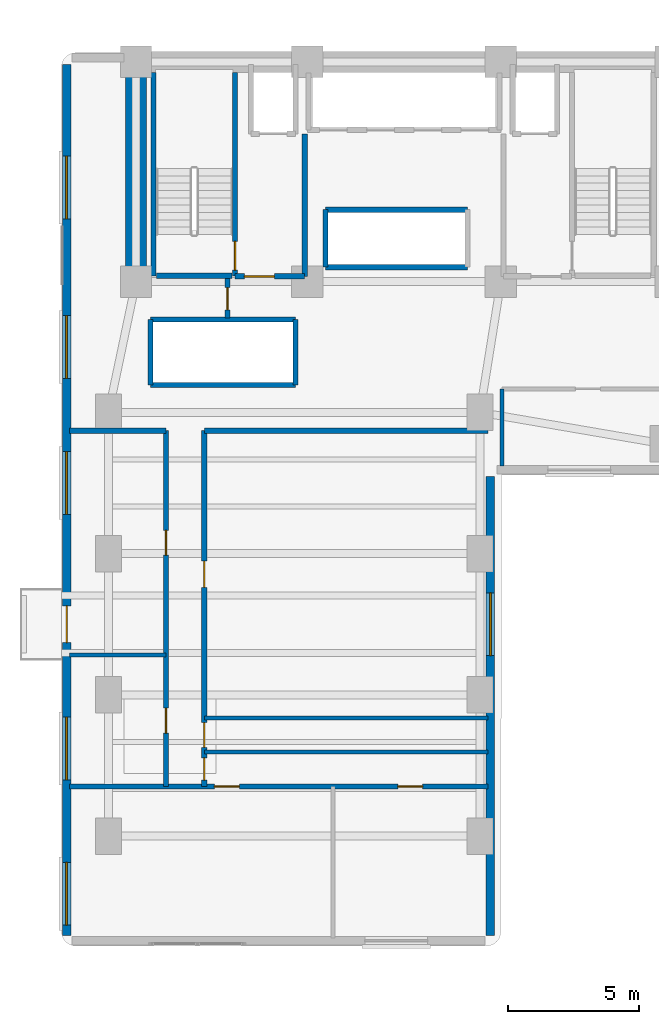
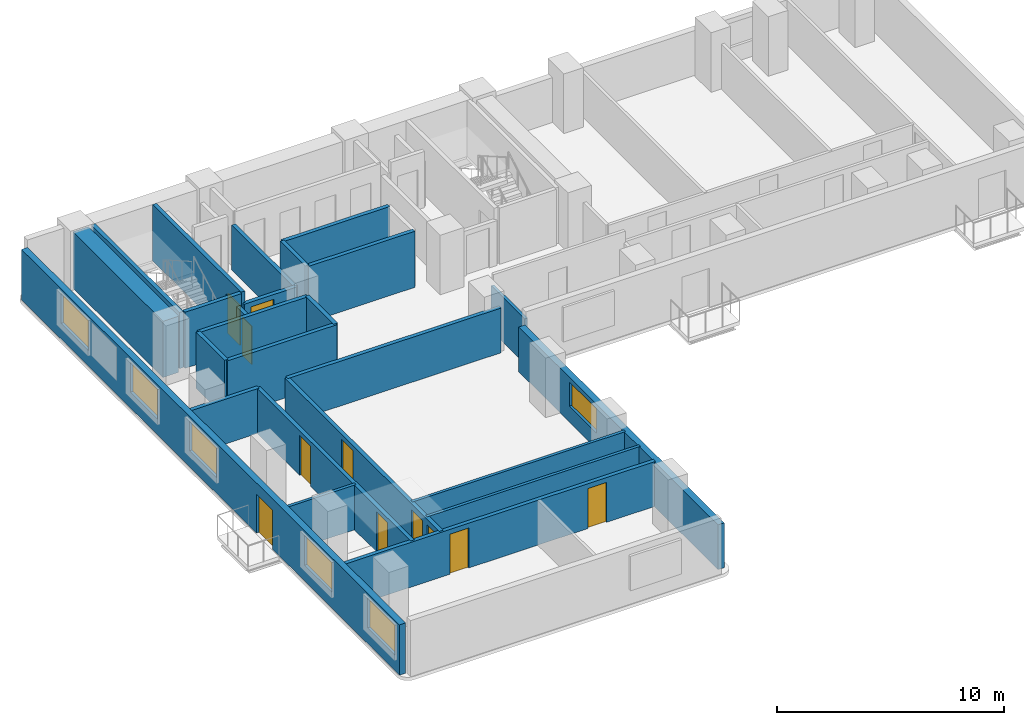
# One storey, part 10 of 17: 25 walls, 11 doors, 6 windows, 17 openings.
"""IFC4 building model written with IfcOpenShell, lengths in metres."""

from ifc_helpers import new_model, si_unit, direction, frame, frame_2d, origin, place, context, subcontext, project, spatial, rectangle, extrude, material, layer, layer_set, type_object, element, fill, save


model = new_model("IFC4")

# Units and contexts
model_context = context("Model", 3, precision=1e-05, world=origin(), true_north=direction((0.0, 1.0)))
body_context = subcontext(model_context, "Body", "Model", "MODEL_VIEW")
ifc_project = project(units=[si_unit("LENGTHUNIT", "METRE"), si_unit("AREAUNIT", "SQUARE_METRE"), si_unit("VOLUMEUNIT", "CUBIC_METRE"), si_unit("PLANEANGLEUNIT", "RADIAN"), si_unit("MASSUNIT", "GRAM", prefix="KILO")], contexts=[model_context])

# Site, building, storey
site_placement = place(None, origin())
site = spatial("IfcSite", under=ifc_project, at=site_placement, CompositionType="ELEMENT")
building_placement = place(site_placement, origin())
building = spatial("IfcBuilding", under=site, at=building_placement, Name="Kuzgunbayir Cultural Tower", CompositionType="ELEMENT")
storey_placement = place(building_placement, frame((0.0, 0.0, 46.800048828125)))
storey = spatial("IfcBuildingStorey", under=building, at=storey_placement, Name="L12", CompositionType="ELEMENT", Elevation=46.800048828125)

# Wall
ifc_material_1 = material(Name="Concrete C60/75", Category="concrete")
ifc_layer_1 = layer(ifc_material_1, 0.800048828125)
ifc_layer_set_1 = layer_set([ifc_layer_1], Name="Concrete C60/75")
wall_type_1 = type_object("IfcWallType", Name="WAL-CORE-800", PredefinedType="SHEAR", material=ifc_layer_set_1)
wall_1_placement = place(storey_placement, frame((6.449951171875, 33.800048828125, 0.0), z_axis=(0.0, 0.0, 1.0), x_axis=(0.0, 1.0, 0.0)))
element("IfcWall", 1, at=wall_1_placement, inside=storey, type_object=wall_type_1, Name="L12 T1 Core West Shear Wall", PredefinedType="SHEAR", context=body_context, shape_type="SweptSolid", body=[
    extrude(rectangle(XDim=7.949951171875, YDim=0.800048828125, at=frame_2d((3.97509765625, 0.0))), origin(), (0.0, 0.0, 1.0), 3.02001953125),
])

# Wall, openings, door, windows
ifc_material_2 = material(Name="Travertine Buff Ashlar", Category="masonry")
ifc_layer_2 = layer(ifc_material_2, 0.320068359375)
ifc_layer_set_2 = layer_set([ifc_layer_2], Name="Travertine Buff Ashlar")
wall_type_2 = type_object("IfcWallType", Name="WAL-EXT-STONE-320", PredefinedType="STANDARD", material=ifc_layer_set_2)
wall_2_placement = place(storey_placement, frame((3.800048828125, 42.10009765625, 0.0), z_axis=(0.0, 0.0, 1.0), x_axis=(0.0, -1.0, 0.0)))
wall_2 = element("IfcWall", 2, at=wall_2_placement, inside=storey, type_object=wall_type_2, Name="L12 Wing A West Limestone Wall", PredefinedType="STANDARD", context=body_context, shape_type="SweptSolid", body=[
    extrude(rectangle(XDim=33.300048828125, YDim=0.320068359375, at=frame_2d((16.64990234375, 0.0))), origin(), (0.0, 0.0, 1.0), 2.699951171875),
])
opening_1_placement = place(wall_2_placement, frame((20.699951171875, 0.0, 0.0)))
opening_1 = element("IfcOpeningElement", 3, at=opening_1_placement, cuts=wall_2, Name="Opening BD-15", PredefinedType="OPENING", context=body_context, shape_type="SweptSolid", body=[
    extrude(rectangle(XDim=1.39990234375, YDim=2.10009765625, at=frame_2d((0.699951171875, 1.050048828125))), frame((0.0, 0.169921875, 0.0), z_axis=(0.0, -1.0, 0.0), x_axis=(1.0, 0.0, 0.0)), (0.0, 0.0, 1.0), 0.340087890625),
])
opening_2_placement = place(wall_2_placement, frame((30.5, 0.0, 0.85009765625)))
opening_2 = element("IfcOpeningElement", 4, at=opening_2_placement, cuts=wall_2, Name="Opening WO-24", PredefinedType="OPENING", context=body_context, shape_type="SweptSolid", body=[
    extrude(rectangle(XDim=2.39990234375, YDim=1.60009765625, at=frame_2d((1.199951171875, 0.800048828125))), frame((0.0, 0.169921875, 0.0), z_axis=(0.0, -1.0, 0.0), x_axis=(1.0, 0.0, 0.0)), (0.0, 0.0, 1.0), 0.340087890625),
])
opening_3_placement = place(wall_2_placement, frame((24.949951171875, 0.0, 0.85009765625)))
opening_3 = element("IfcOpeningElement", 5, at=opening_3_placement, cuts=wall_2, Name="Opening WO-24", PredefinedType="OPENING", context=body_context, shape_type="SweptSolid", body=[
    extrude(rectangle(XDim=2.39990234375, YDim=1.60009765625, at=frame_2d((1.199951171875, 0.800048828125))), frame((0.0, 0.169921875, 0.0), z_axis=(0.0, -1.0, 0.0), x_axis=(1.0, 0.0, 0.0)), (0.0, 0.0, 1.0), 0.340087890625),
])
opening_4_placement = place(wall_2_placement, frame((14.800048828125, 0.0, 0.85009765625)))
opening_4 = element("IfcOpeningElement", 6, at=opening_4_placement, cuts=wall_2, Name="Opening WO-24", PredefinedType="OPENING", context=body_context, shape_type="SweptSolid", body=[
    extrude(rectangle(XDim=2.39990234375, YDim=1.60009765625, at=frame_2d((1.199951171875, 0.800048828125))), frame((0.0, 0.169921875, 0.0), z_axis=(0.0, -1.0, 0.0), x_axis=(1.0, 0.0, 0.0)), (0.0, 0.0, 1.0), 0.340087890625),
])
opening_5_placement = place(wall_2_placement, frame((9.60009765625, 0.0, 0.85009765625)))
opening_5 = element("IfcOpeningElement", 7, at=opening_5_placement, cuts=wall_2, Name="Opening WO-24", PredefinedType="OPENING", context=body_context, shape_type="SweptSolid", body=[
    extrude(rectangle(XDim=2.39990234375, YDim=1.60009765625, at=frame_2d((1.199951171875, 0.800048828125))), frame((0.0, 0.169921875, 0.0), z_axis=(0.0, -1.0, 0.0), x_axis=(1.0, 0.0, 0.0)), (0.0, 0.0, 1.0), 0.340087890625),
])
opening_6_placement = place(wall_2_placement, frame((3.5, 0.0, 0.85009765625)))
opening_6 = element("IfcOpeningElement", 8, at=opening_6_placement, cuts=wall_2, Name="Opening WO-24", PredefinedType="OPENING", context=body_context, shape_type="SweptSolid", body=[
    extrude(rectangle(XDim=2.39990234375, YDim=1.60009765625, at=frame_2d((1.199951171875, 0.800048828125))), frame((0.0, 0.169921875, 0.0), z_axis=(0.0, -1.0, 0.0), x_axis=(1.0, 0.0, 0.0)), (0.0, 0.0, 1.0), 0.340087890625),
])
ifc_material_3 = material(Name="Thermally Broken Glazed Aluminium", Category="aluminium")
door_type_1 = type_object("IfcDoorType", Name="DR-BALCONY-150", OperationType="SLIDING_TO_RIGHT", PredefinedType="DOOR", material=ifc_material_3)
door_1_placement = place(opening_1_placement, origin())
door_1 = element("IfcDoor", 9, at=door_1_placement, inside=storey, type_object=door_type_1, Name="L12 West Balcony Sliding Door BAL-L12-WA2", OperationType="SLIDING_TO_RIGHT", OverallHeight=2.10009765625, OverallWidth=1.39990234375, PredefinedType="DOOR", context=body_context, shape_type="SweptSolid", body=[
    extrude(rectangle(XDim=1.39990234375, YDim=2.10009765625, at=frame_2d((0.699951171875, 1.050048828125))), frame((0.0, 0.02490234375, 0.0), z_axis=(0.0, -1.0, 0.0), x_axis=(1.0, 0.0, 0.0)), (0.0, 0.0, 1.0), 0.050048828125),
])
fill(opening_1, door_1)
ifc_material_4 = material(Name="Solar-Control Triple Glazing", Category="glass")
window_type = type_object("IfcWindowType", Name="WIN-OFFICE-24", PartitioningType="SINGLE_PANEL", PredefinedType="WINDOW", material=ifc_material_4)
window_1_placement = place(opening_2_placement, origin())
window_1 = element("IfcWindow", 10, at=window_1_placement, inside=storey, type_object=window_type, Name="L12 WAW Facade Window 2", OverallHeight=1.60009765625, OverallWidth=2.39990234375, PartitioningType="SINGLE_PANEL", PredefinedType="WINDOW", context=body_context, shape_type="SweptSolid", body=[
    extrude(rectangle(XDim=2.39990234375, YDim=1.60009765625, at=frame_2d((1.199951171875, 0.800048828125))), frame((0.0, 0.030029296875, 0.0), z_axis=(0.0, -1.0, 0.0), x_axis=(1.0, 0.0, 0.0)), (0.0, 0.0, 1.0), 0.06005859375),
])
fill(opening_2, window_1)
window_2_placement = place(opening_3_placement, origin())
window_2 = element("IfcWindow", 11, at=window_2_placement, inside=storey, type_object=window_type, Name="L12 WAW Facade Window 3", OverallHeight=1.60009765625, OverallWidth=2.39990234375, PartitioningType="SINGLE_PANEL", PredefinedType="WINDOW", context=body_context, shape_type="SweptSolid", body=[
    extrude(rectangle(XDim=2.39990234375, YDim=1.60009765625, at=frame_2d((1.199951171875, 0.800048828125))), frame((0.0, 0.030029296875, 0.0), z_axis=(0.0, -1.0, 0.0), x_axis=(1.0, 0.0, 0.0)), (0.0, 0.0, 1.0), 0.06005859375),
])
fill(opening_3, window_2)
window_3_placement = place(opening_4_placement, origin())
window_3 = element("IfcWindow", 12, at=window_3_placement, inside=storey, type_object=window_type, Name="L12 WAW Facade Window 4", OverallHeight=1.60009765625, OverallWidth=2.39990234375, PartitioningType="SINGLE_PANEL", PredefinedType="WINDOW", context=body_context, shape_type="SweptSolid", body=[
    extrude(rectangle(XDim=2.39990234375, YDim=1.60009765625, at=frame_2d((1.199951171875, 0.800048828125))), frame((0.0, 0.030029296875, 0.0), z_axis=(0.0, -1.0, 0.0), x_axis=(1.0, 0.0, 0.0)), (0.0, 0.0, 1.0), 0.06005859375),
])
fill(opening_4, window_3)
window_4_placement = place(opening_5_placement, origin())
window_4 = element("IfcWindow", 13, at=window_4_placement, inside=storey, type_object=window_type, Name="L12 WAW Facade Window 5", OverallHeight=1.60009765625, OverallWidth=2.39990234375, PartitioningType="SINGLE_PANEL", PredefinedType="WINDOW", context=body_context, shape_type="SweptSolid", body=[
    extrude(rectangle(XDim=2.39990234375, YDim=1.60009765625, at=frame_2d((1.199951171875, 0.800048828125))), frame((0.0, 0.030029296875, 0.0), z_axis=(0.0, -1.0, 0.0), x_axis=(1.0, 0.0, 0.0)), (0.0, 0.0, 1.0), 0.06005859375),
])
fill(opening_5, window_4)
window_5_placement = place(opening_6_placement, origin())
window_5 = element("IfcWindow", 14, at=window_5_placement, inside=storey, type_object=window_type, Name="L12 WAW Facade Window 6", OverallHeight=1.60009765625, OverallWidth=2.39990234375, PartitioningType="SINGLE_PANEL", PredefinedType="WINDOW", context=body_context, shape_type="SweptSolid", body=[
    extrude(rectangle(XDim=2.39990234375, YDim=1.60009765625, at=frame_2d((1.199951171875, 0.800048828125))), frame((0.0, 0.030029296875, 0.0), z_axis=(0.0, -1.0, 0.0), x_axis=(1.0, 0.0, 0.0)), (0.0, 0.0, 1.0), 0.06005859375),
])
fill(opening_6, window_5)

# Wall, opening, window
wall_3_placement = place(storey_placement, frame((20.0, 8.800048828125, 0.0), z_axis=(0.0, 0.0, 1.0), x_axis=(0.0, 1.0, 0.0)))
wall_3 = element("IfcWall", 15, at=wall_3_placement, inside=storey, type_object=wall_type_2, Name="L12 Wing A East Limestone Wall", PredefinedType="STANDARD", context=body_context, shape_type="SweptSolid", body=[
    extrude(rectangle(XDim=17.550048828125, YDim=0.320068359375, at=frame_2d((8.77490234375, 0.0))), origin(), (0.0, 0.0, 1.0), 2.409912109375),
])
opening_7_placement = place(wall_3_placement, frame((10.699951171875, 0.0, 0.85009765625)))
opening_7 = element("IfcOpeningElement", 16, at=opening_7_placement, cuts=wall_3, Name="Opening WO-24", PredefinedType="OPENING", context=body_context, shape_type="SweptSolid", body=[
    extrude(rectangle(XDim=2.39990234375, YDim=1.31005859375, at=frame_2d((1.199951171875, 0.655029296875))), frame((0.0, 0.169921875, 0.0), z_axis=(0.0, -1.0, 0.0), x_axis=(1.0, 0.0, 0.0)), (0.0, 0.0, 1.0), 0.340087890625),
])
window_6_placement = place(opening_7_placement, origin())
window_6 = element("IfcWindow", 17, at=window_6_placement, inside=storey, type_object=window_type, Name="L12 WAE Facade Window 7", OverallHeight=1.31005859375, OverallWidth=2.39990234375, PartitioningType="SINGLE_PANEL", PredefinedType="WINDOW", context=body_context, shape_type="SweptSolid", body=[
    extrude(rectangle(XDim=2.39990234375, YDim=1.31005859375, at=frame_2d((1.199951171875, 0.655029296875))), frame((0.0, 0.030029296875, 0.0), z_axis=(0.0, -1.0, 0.0), x_axis=(1.0, 0.0, 0.0)), (0.0, 0.0, 1.0), 0.06005859375),
])
fill(opening_7, window_6)

# Walls
ifc_material_5 = material(Name="Acoustic Double-Stud Drywall", Category="gypsum")
ifc_layer_3 = layer(ifc_material_5, 0.14990234375)
ifc_layer_set_3 = layer_set([ifc_layer_3], Name="Acoustic Double-Stud Drywall")
wall_type_3 = type_object("IfcWallType", Name="WAL-PART-ACOUSTIC-150", PredefinedType="PARTITIONING", material=ifc_layer_set_3)
wall_4_placement = place(storey_placement, frame((20.449951171875, 26.75, 0.0), z_axis=(0.0, 0.0, 1.0), x_axis=(0.0, 1.0, 0.0)))
element("IfcWall", 18, at=wall_4_placement, inside=storey, type_object=wall_type_3, Name="L12 Waist Alcove West Wall", PredefinedType="PARTITIONING", context=body_context, shape_type="SweptSolid", body=[
    extrude(rectangle(XDim=2.949951171875, YDim=0.14990234375, at=frame_2d((1.47509765625, 0.0))), origin(), (0.0, 0.0, 1.0), 2.409912109375),
])
wall_5_placement = place(storey_placement, frame((3.89990234375, 19.530029296875, 0.0), z_axis=(0.0, 0.0, 1.0), x_axis=(1.0, 0.0, 0.0)))
element("IfcWall", 19, at=wall_5_placement, inside=storey, type_object=wall_type_3, Name="L12 West Suite Partition 1", PredefinedType="PARTITIONING", context=body_context, shape_type="SweptSolid", body=[
    extrude(rectangle(XDim=3.7001953125, YDim=0.14990234375, at=frame_2d((1.85009765625, 0.0))), origin(), (0.0, 0.0, 1.0), 2.409912109375),
])
ifc_material_6 = material(Name="Aerated Concrete Blockwork", Category="masonry")
ifc_layer_4 = layer(ifc_material_6, 0.199951171875)
ifc_layer_set_4 = layer_set([ifc_layer_4], Name="Aerated Concrete Blockwork")
wall_type_4 = type_object("IfcWallType", Name="WAL-PART-FIRE-200", PredefinedType="PARTITIONING", material=ifc_layer_set_4)
wall_6_placement = place(storey_placement, frame((12.89990234375, 34.0, 0.0), z_axis=(0.0, 0.0, 1.0), x_axis=(0.0, 1.0, 0.0)))
element("IfcWall", 20, at=wall_6_placement, inside=storey, type_object=wall_type_4, Name="L12 FFL-1 Lobby East Fire Wall", PredefinedType="PARTITIONING", context=body_context, shape_type="SweptSolid", body=[
    extrude(rectangle(XDim=5.449951171875, YDim=0.199951171875, at=frame_2d((2.72509765625, 0.0))), origin(), (0.0, 0.0, 1.0), 2.409912109375),
])

# Wall, opening, door
wall_7_placement = place(storey_placement, frame((10.239990234375, 34.0, 0.0), z_axis=(0.0, 0.0, 1.0), x_axis=(1.0, 0.0, 0.0)))
wall_7 = element("IfcWall", 21, at=wall_7_placement, inside=storey, type_object=wall_type_4, Name="L12 FFL-1 Lobby South Fire Wall", PredefinedType="PARTITIONING", context=body_context, shape_type="SweptSolid", body=[
    extrude(rectangle(XDim=2.659912109375, YDim=0.199951171875, at=frame_2d((1.330078125, 0.0))), origin(), (0.0, 0.0, 1.0), 2.409912109375),
])
opening_8_placement = place(wall_7_placement, frame((0.35009765625, 0.0, 0.0)))
opening_8 = element("IfcOpeningElement", 22, at=opening_8_placement, cuts=wall_7, Name="Opening DR-FFL-90", PredefinedType="OPENING", context=body_context, shape_type="SweptSolid", body=[
    extrude(rectangle(XDim=1.14990234375, YDim=2.14990234375, at=frame_2d((0.574951171875, 1.074951171875))), frame((0.0, 0.10986328125, 0.0), z_axis=(0.0, -1.0, 0.0), x_axis=(1.0, 0.0, 0.0)), (0.0, 0.0, 1.0), 0.219970703125),
])
ifc_material_7 = material(Name="Steel S355J2", Category="steel")
door_type_2 = type_object("IfcDoorType", Name="DR-FFL-90", OperationType="NOTDEFINED", PredefinedType="DOOR", material=ifc_material_7)
door_2_placement = place(opening_8_placement, origin())
door_2 = element("IfcDoor", 23, at=door_2_placement, inside=storey, type_object=door_type_2, Name="L12 Firefighting Lobby 1 Door", OperationType="SINGLE_SWING_LEFT", OverallHeight=2.14990234375, OverallWidth=1.14990234375, PredefinedType="DOOR", context=body_context, shape_type="SweptSolid", body=[
    extrude(rectangle(XDim=1.14990234375, YDim=2.14990234375, at=frame_2d((0.574951171875, 1.074951171875))), frame((0.0, 0.02490234375, 0.0), z_axis=(0.0, -1.0, 0.0), x_axis=(1.0, 0.0, 0.0)), (0.0, 0.0, 1.0), 0.050048828125),
])
fill(opening_8, door_2)

wall_8_placement = place(storey_placement, frame((9.949951171875, 32.39990234375, 0.0), z_axis=(0.0, 0.0, 1.0), x_axis=(0.0, 1.0, 0.0)))
wall_8 = element("IfcWall", 24, at=wall_8_placement, inside=storey, type_object=wall_type_4, Name="L12 West Core Service Closet Wall", PredefinedType="PARTITIONING", context=body_context, shape_type="SweptSolid", body=[
    extrude(rectangle(XDim=1.52001953125, YDim=0.199951171875, at=frame_2d((0.760009765625, 0.0))), origin(), (0.0, 0.0, 1.0), 2.409912109375),
])
opening_9_placement = place(wall_8_placement, frame((0.320068359375, 0.0, 0.0)))
opening_9 = element("IfcOpeningElement", 25, at=opening_9_placement, cuts=wall_8, Name="Opening DR-RSR-60", PredefinedType="OPENING", context=body_context, shape_type="SweptSolid", body=[
    extrude(rectangle(XDim=0.85009765625, YDim=2.050048828125, at=frame_2d((0.425048828125, 1.02490234375))), frame((0.0, 0.10986328125, 0.0), z_axis=(0.0, -1.0, 0.0), x_axis=(1.0, 0.0, 0.0)), (0.0, 0.0, 1.0), 0.219970703125),
])
ifc_material_8 = material(Name="Steel Access Leaf", Category="steel")
door_type_3 = type_object("IfcDoorType", Name="DR-RISER-60", OperationType="NOTDEFINED", PredefinedType="DOOR", material=ifc_material_8)
door_3_placement = place(opening_9_placement, origin())
door_3 = element("IfcDoor", 26, at=door_3_placement, inside=storey, type_object=door_type_3, Name="L12 Cleaner Utility Store Door", OperationType="SINGLE_SWING_LEFT", OverallHeight=2.050048828125, OverallWidth=0.85009765625, PredefinedType="DOOR", context=body_context, shape_type="SweptSolid", body=[
    extrude(rectangle(XDim=0.85009765625, YDim=2.050048828125, at=frame_2d((0.425048828125, 1.02490234375))), frame((0.0, 0.02490234375, 0.0), z_axis=(0.0, -1.0, 0.0), x_axis=(1.0, 0.0, 0.0)), (0.0, 0.0, 1.0), 0.050048828125),
])
fill(opening_9, door_3)

# Wall, openings, doors
wall_9_placement = place(storey_placement, frame((7.60009765625, 14.5, 0.0), z_axis=(0.0, 0.0, 1.0), x_axis=(0.0, 1.0, 0.0)))
wall_9 = element("IfcWall", 27, at=wall_9_placement, inside=storey, type_object=wall_type_4, Name="L12 Wing A West Corridor Wall", PredefinedType="PARTITIONING", context=body_context, shape_type="SweptSolid", body=[
    extrude(rectangle(XDim=13.60009765625, YDim=0.199951171875, at=frame_2d((6.800048828125, 0.0))), origin(), (0.0, 0.0, 1.0), 2.409912109375),
])
opening_10_placement = place(wall_9_placement, frame((2.0400390625, 0.0, 0.0)))
opening_10 = element("IfcOpeningElement", 28, at=opening_10_placement, cuts=wall_9, Name="Opening DI-90", PredefinedType="OPENING", context=body_context, shape_type="SweptSolid", body=[
    extrude(rectangle(XDim=0.949951171875, YDim=2.14990234375, at=frame_2d((0.47509765625, 1.074951171875))), frame((0.0, 0.10986328125, 0.0), z_axis=(0.0, -1.0, 0.0), x_axis=(1.0, 0.0, 0.0)), (0.0, 0.0, 1.0), 0.219970703125),
])
opening_11_placement = place(wall_9_placement, frame((8.840087890625, 0.0, 0.0)))
opening_11 = element("IfcOpeningElement", 29, at=opening_11_placement, cuts=wall_9, Name="Opening DI-90", PredefinedType="OPENING", context=body_context, shape_type="SweptSolid", body=[
    extrude(rectangle(XDim=0.949951171875, YDim=2.14990234375, at=frame_2d((0.47509765625, 1.074951171875))), frame((0.0, 0.10986328125, 0.0), z_axis=(0.0, -1.0, 0.0), x_axis=(1.0, 0.0, 0.0)), (0.0, 0.0, 1.0), 0.219970703125),
])
ifc_material_9 = material(Name="Veneered Oak Single Leaf", Category="wood")
door_type_4 = type_object("IfcDoorType", Name="DR-INT-90", OperationType="NOTDEFINED", PredefinedType="DOOR", material=ifc_material_9)
door_4_placement = place(opening_10_placement, origin())
door_4 = element("IfcDoor", 30, at=door_4_placement, inside=storey, type_object=door_type_4, Name="L12 Curatorial Office W1 Door", OperationType="SINGLE_SWING_LEFT", OverallHeight=2.14990234375, OverallWidth=0.949951171875, PredefinedType="DOOR", context=body_context, shape_type="SweptSolid", body=[
    extrude(rectangle(XDim=0.949951171875, YDim=2.14990234375, at=frame_2d((0.47509765625, 1.074951171875))), frame((0.0, 0.02490234375, 0.0), z_axis=(0.0, -1.0, 0.0), x_axis=(1.0, 0.0, 0.0)), (0.0, 0.0, 1.0), 0.050048828125),
])
fill(opening_10, door_4)
door_5_placement = place(opening_11_placement, origin())
door_5 = element("IfcDoor", 31, at=door_5_placement, inside=storey, type_object=door_type_4, Name="L12 Wellness Consultation Studio W2 Door", OperationType="SINGLE_SWING_RIGHT", OverallHeight=2.14990234375, OverallWidth=0.949951171875, PredefinedType="DOOR", context=body_context, shape_type="SweptSolid", body=[
    extrude(rectangle(XDim=0.949951171875, YDim=2.14990234375, at=frame_2d((0.47509765625, 1.074951171875))), frame((0.0, 0.02490234375, 0.0), z_axis=(0.0, -1.0, 0.0), x_axis=(1.0, 0.0, 0.0)), (0.0, 0.0, 1.0), 0.050048828125),
])
fill(opening_11, door_5)

wall_10_placement = place(storey_placement, frame((9.06005859375, 14.5, 0.0), z_axis=(0.0, 0.0, 1.0), x_axis=(0.0, 1.0, 0.0)))
wall_10 = element("IfcWall", 32, at=wall_10_placement, inside=storey, type_object=wall_type_4, Name="L12 Wing A East Corridor Wall", PredefinedType="PARTITIONING", context=body_context, shape_type="SweptSolid", body=[
    extrude(rectangle(XDim=13.60009765625, YDim=0.199951171875, at=frame_2d((6.800048828125, 0.0))), origin(), (0.0, 0.0, 1.0), 2.409912109375),
])
opening_12_placement = place(wall_10_placement, frame((0.239990234375, 0.0, 0.0)))
opening_12 = element("IfcOpeningElement", 33, at=opening_12_placement, cuts=wall_10, Name="Opening DW-85", PredefinedType="OPENING", context=body_context, shape_type="SweptSolid", body=[
    extrude(rectangle(XDim=0.85009765625, YDim=2.10009765625, at=frame_2d((0.425048828125, 1.050048828125))), frame((0.0, 0.10986328125, 0.0), z_axis=(0.0, -1.0, 0.0), x_axis=(1.0, 0.0, 0.0)), (0.0, 0.0, 1.0), 0.219970703125),
])
opening_13_placement = place(wall_10_placement, frame((1.489990234375, 0.0, 0.0)))
opening_13 = element("IfcOpeningElement", 34, at=opening_13_placement, cuts=wall_10, Name="Opening DW-95", PredefinedType="OPENING", context=body_context, shape_type="SweptSolid", body=[
    extrude(rectangle(XDim=0.949951171875, YDim=2.10009765625, at=frame_2d((0.47509765625, 1.050048828125))), frame((0.0, 0.10986328125, 0.0), z_axis=(0.0, -1.0, 0.0), x_axis=(1.0, 0.0, 0.0)), (0.0, 0.0, 1.0), 0.219970703125),
])
opening_14_placement = place(wall_10_placement, frame((7.610107421875, 0.0, 0.0)))
opening_14 = element("IfcOpeningElement", 35, at=opening_14_placement, cuts=wall_10, Name="Opening DI-100", PredefinedType="OPENING", context=body_context, shape_type="SweptSolid", body=[
    extrude(rectangle(XDim=1.0, YDim=2.14990234375, at=frame_2d((0.5, 1.074951171875))), frame((0.0, 0.10986328125, 0.0), z_axis=(0.0, -1.0, 0.0), x_axis=(1.0, 0.0, 0.0)), (0.0, 0.0, 1.0), 0.219970703125),
])
door_type_5 = type_object("IfcDoorType", Name="DR-INT-100", OperationType="NOTDEFINED", PredefinedType="DOOR", material=ifc_material_9)
door_6_placement = place(opening_14_placement, origin())
door_6 = element("IfcDoor", 36, at=door_6_placement, inside=storey, type_object=door_type_5, Name="L12 East Seminar Boardroom 1 Door", OperationType="SINGLE_SWING_LEFT", OverallHeight=2.14990234375, OverallWidth=1.0, PredefinedType="DOOR", context=body_context, shape_type="SweptSolid", body=[
    extrude(rectangle(XDim=1.0, YDim=2.14990234375, at=frame_2d((0.5, 1.074951171875))), frame((0.0, 0.02490234375, 0.0), z_axis=(0.0, -1.0, 0.0), x_axis=(1.0, 0.0, 0.0)), (0.0, 0.0, 1.0), 0.050048828125),
])
fill(opening_14, door_6)
ifc_material_10 = material(Name="Laminate Moisture-Resistant Leaf", Category="wood")
door_type_6 = type_object("IfcDoorType", Name="DR-WET-85", OperationType="NOTDEFINED", PredefinedType="DOOR", material=ifc_material_10)
door_7_placement = place(opening_12_placement, origin())
door_7 = element("IfcDoor", 37, at=door_7_placement, inside=storey, type_object=door_type_6, Name="L12 Restroom Door", OperationType="SINGLE_SWING_LEFT", OverallHeight=2.10009765625, OverallWidth=0.85009765625, PredefinedType="DOOR", context=body_context, shape_type="SweptSolid", body=[
    extrude(rectangle(XDim=0.85009765625, YDim=2.10009765625, at=frame_2d((0.425048828125, 1.050048828125))), frame((0.0, 0.02490234375, 0.0), z_axis=(0.0, -1.0, 0.0), x_axis=(1.0, 0.0, 0.0)), (0.0, 0.0, 1.0), 0.050048828125),
])
fill(opening_12, door_7)
door_type_7 = type_object("IfcDoorType", Name="DR-WET-95", OperationType="NOTDEFINED", PredefinedType="DOOR", material=ifc_material_10)
door_8_placement = place(opening_13_placement, origin())
door_8 = element("IfcDoor", 38, at=door_8_placement, inside=storey, type_object=door_type_7, Name="L12 Accessible WC Door", OperationType="SINGLE_SWING_RIGHT", OverallHeight=2.10009765625, OverallWidth=0.949951171875, PredefinedType="DOOR", context=body_context, shape_type="SweptSolid", body=[
    extrude(rectangle(XDim=0.949951171875, YDim=2.10009765625, at=frame_2d((0.47509765625, 1.050048828125))), frame((0.0, 0.02490234375, 0.0), z_axis=(0.0, -1.0, 0.0), x_axis=(1.0, 0.0, 0.0)), (0.0, 0.0, 1.0), 0.050048828125),
])
fill(opening_13, door_8)

wall_11_placement = place(storey_placement, frame((3.89990234375, 14.5, 0.0), z_axis=(0.0, 0.0, 1.0), x_axis=(1.0, 0.0, 0.0)))
wall_11 = element("IfcWall", 39, at=wall_11_placement, inside=storey, type_object=wall_type_4, Name="L12 South Cross Partition", PredefinedType="PARTITIONING", context=body_context, shape_type="SweptSolid", body=[
    extrude(rectangle(XDim=16.0, YDim=0.199951171875, at=frame_2d((8.0, 0.0))), origin(), (0.0, 0.0, 1.0), 2.409912109375),
])
opening_15_placement = place(wall_11_placement, frame((5.550048828125, 0.0, 0.0)))
opening_15 = element("IfcOpeningElement", 40, at=opening_15_placement, cuts=wall_11, Name="Opening DI-90", PredefinedType="OPENING", context=body_context, shape_type="SweptSolid", body=[
    extrude(rectangle(XDim=0.949951171875, YDim=2.14990234375, at=frame_2d((0.47509765625, 1.074951171875))), frame((0.0, 0.10986328125, 0.0), z_axis=(0.0, -1.0, 0.0), x_axis=(1.0, 0.0, 0.0)), (0.0, 0.0, 1.0), 0.219970703125),
])
opening_16_placement = place(wall_11_placement, frame((12.56005859375, 0.0, 0.0)))
opening_16 = element("IfcOpeningElement", 41, at=opening_16_placement, cuts=wall_11, Name="Opening DI-90", PredefinedType="OPENING", context=body_context, shape_type="SweptSolid", body=[
    extrude(rectangle(XDim=0.949951171875, YDim=2.14990234375, at=frame_2d((0.47509765625, 1.074951171875))), frame((0.0, 0.10986328125, 0.0), z_axis=(0.0, -1.0, 0.0), x_axis=(1.0, 0.0, 0.0)), (0.0, 0.0, 1.0), 0.219970703125),
])
door_9_placement = place(opening_15_placement, origin())
door_9 = element("IfcDoor", 42, at=door_9_placement, inside=storey, type_object=door_type_4, Name="L12 South Suite S1 Door", OperationType="SINGLE_SWING_LEFT", OverallHeight=2.14990234375, OverallWidth=0.949951171875, PredefinedType="DOOR", context=body_context, shape_type="SweptSolid", body=[
    extrude(rectangle(XDim=0.949951171875, YDim=2.14990234375, at=frame_2d((0.47509765625, 1.074951171875))), frame((0.0, 0.02490234375, 0.0), z_axis=(0.0, -1.0, 0.0), x_axis=(1.0, 0.0, 0.0)), (0.0, 0.0, 1.0), 0.050048828125),
])
fill(opening_15, door_9)
door_10_placement = place(opening_16_placement, origin())
door_10 = element("IfcDoor", 43, at=door_10_placement, inside=storey, type_object=door_type_4, Name="L12 South Suite S2 Door", OperationType="SINGLE_SWING_RIGHT", OverallHeight=2.14990234375, OverallWidth=0.949951171875, PredefinedType="DOOR", context=body_context, shape_type="SweptSolid", body=[
    extrude(rectangle(XDim=0.949951171875, YDim=2.14990234375, at=frame_2d((0.47509765625, 1.074951171875))), frame((0.0, 0.02490234375, 0.0), z_axis=(0.0, -1.0, 0.0), x_axis=(1.0, 0.0, 0.0)), (0.0, 0.0, 1.0), 0.050048828125),
])
fill(opening_16, door_10)

# Walls
wall_12_placement = place(storey_placement, frame((3.89990234375, 28.10009765625, 0.0), z_axis=(0.0, 0.0, 1.0), x_axis=(1.0, 0.0, 0.0)))
element("IfcWall", 44, at=wall_12_placement, inside=storey, type_object=wall_type_4, Name="L12 North West Partition", PredefinedType="PARTITIONING", context=body_context, shape_type="SweptSolid", body=[
    extrude(rectangle(XDim=3.7001953125, YDim=0.199951171875, at=frame_2d((1.85009765625, 0.0))), origin(), (0.0, 0.0, 1.0), 2.409912109375),
])
wall_13_placement = place(storey_placement, frame((9.06005859375, 28.10009765625, 0.0), z_axis=(0.0, 0.0, 1.0), x_axis=(1.0, 0.0, 0.0)))
element("IfcWall", 45, at=wall_13_placement, inside=storey, type_object=wall_type_4, Name="L12 North East Partition", PredefinedType="PARTITIONING", context=body_context, shape_type="SweptSolid", body=[
    extrude(rectangle(XDim=10.83984375, YDim=0.199951171875, at=frame_2d((5.419921875, 0.0))), origin(), (0.0, 0.0, 1.0), 2.409912109375),
])
ifc_material_11 = material(Name="Moisture-Resistant Tile Partition", Category="gypsum")
ifc_layer_5 = layer(ifc_material_11, 0.14990234375)
ifc_layer_set_5 = layer_set([ifc_layer_5], Name="Moisture-Resistant Tile Partition")
wall_type_5 = type_object("IfcWallType", Name="WAL-PART-WET-150", PredefinedType="PARTITIONING", material=ifc_layer_set_5)
for number, where, z_axis, x_axis, name in (
    (46, (9.06005859375, 15.81005859375, 0.0), (0.0, 0.0, 1.0), (1.0, 0.0, 0.0), "L12 WC North Wall"),
    (47, (9.06005859375, 17.1201171875, 0.0), (0.0, 0.0, 1.0), (1.0, 0.0, 0.0), "L12 Accessible WC North Wall"),
):
    element("IfcWall", number, at=place(storey_placement, frame(where, z_axis=z_axis, x_axis=x_axis)), inside=storey, type_object=wall_type_5, Name=name, PredefinedType="PARTITIONING", context=body_context, shape_type="SweptSolid", body=[
        extrude(rectangle(XDim=10.83984375, YDim=0.14990234375, at=frame_2d((5.419921875, 0.0))), origin(), (0.0, 0.0, 1.0), 2.409912109375),
    ])
ifc_material_12 = material(Name="Concrete C40/50", Category="concrete")
ifc_layer_6 = layer(ifc_material_12, 0.199951171875)
ifc_layer_set_6 = layer_set([ifc_layer_6], Name="Concrete C40/50")
wall_type_6 = type_object("IfcWallType", Name="WAL-SHAFT-200", PredefinedType="MOVABLE", material=ifc_layer_set_6)
for number, where, z_axis, x_axis, name in (
    (48, (7.0, 29.85009765625, 0.0), (0.0, 0.0, 1.0), (1.0, 0.0, 0.0), "L12 High-Rise Lift Shaft South Wall"),
    (49, (7.0, 32.35009765625, 0.0), (0.0, 0.0, 1.0), (1.0, 0.0, 0.0), "L12 High-Rise Lift Shaft North Wall"),
):
    element("IfcWall", number, at=place(storey_placement, frame(where, z_axis=z_axis, x_axis=x_axis)), inside=storey, type_object=wall_type_6, Name=name, PredefinedType="MOVABLE", context=body_context, shape_type="SweptSolid", body=[
        extrude(rectangle(XDim=5.550048828125, YDim=0.199951171875, at=frame_2d((2.77490234375, 0.0))), origin(), (0.0, 0.0, 1.0), 3.02001953125),
    ])
for number, where, z_axis, x_axis, name in (
    (50, (7.0, 29.85009765625, 0.0), (0.0, 0.0, 1.0), (0.0, 1.0, 0.0), "L12 High-Rise Lift Shaft West Wall"),
    (51, (12.550048828125, 29.85009765625, 0.0), (0.0, 0.0, 1.0), (0.0, 1.0, 0.0), "L12 High-Rise Lift Shaft East Wall"),
):
    element("IfcWall", number, at=place(storey_placement, frame(where, z_axis=z_axis, x_axis=x_axis)), inside=storey, type_object=wall_type_6, Name=name, PredefinedType="MOVABLE", context=body_context, shape_type="SweptSolid", body=[
        extrude(rectangle(XDim=2.5, YDim=0.199951171875, at=frame_2d((1.25, 0.0))), origin(), (0.0, 0.0, 1.0), 3.02001953125),
    ])
for number, where, z_axis, x_axis, name in (
    (52, (13.699951171875, 34.35009765625, 0.0), (0.0, 0.0, 1.0), (1.0, 0.0, 0.0), "L12 Mid-Rise Lift Front Wall"),
    (53, (13.699951171875, 36.550048828125, 0.0), (0.0, 0.0, 1.0), (1.0, 0.0, 0.0), "L12 Mid-Rise Lift Shaft North Wall"),
):
    element("IfcWall", number, at=place(storey_placement, frame(where, z_axis=z_axis, x_axis=x_axis)), inside=storey, type_object=wall_type_6, Name=name, PredefinedType="MOVABLE", context=body_context, shape_type="SweptSolid", body=[
        extrude(rectangle(XDim=5.420166015625, YDim=0.199951171875, at=frame_2d((2.7099609375, 0.0))), origin(), (0.0, 0.0, 1.0), 3.02001953125),
    ])
wall_14_placement = place(storey_placement, frame((13.699951171875, 34.35009765625, 0.0), z_axis=(0.0, 0.0, 1.0), x_axis=(0.0, 1.0, 0.0)))
element("IfcWall", 54, at=wall_14_placement, inside=storey, type_object=wall_type_6, Name="L12 Mid-Rise Lift Shaft West Wall", PredefinedType="MOVABLE", context=body_context, shape_type="SweptSolid", body=[
    extrude(rectangle(XDim=2.199951171875, YDim=0.199951171875, at=frame_2d((1.10009765625, 0.0))), origin(), (0.0, 0.0, 1.0), 3.02001953125),
])
ifc_layer_7 = layer(ifc_material_12, 0.199951171875)
ifc_layer_set_7 = layer_set([ifc_layer_7], Name="Concrete C40/50")
wall_type_7 = type_object("IfcWallType", Name="WAL-STAIR-RC-200", PredefinedType="SHEAR", material=ifc_layer_set_7)
wall_15_placement = place(storey_placement, frame((7.1201171875, 34.02001953125, 0.0), z_axis=(0.0, 0.0, 1.0), x_axis=(0.0, 1.0, 0.0)))
element("IfcWall", 55, at=wall_15_placement, inside=storey, type_object=wall_type_7, Name="L12 Stair ST-1 West Structural Wall", PredefinedType="SHEAR", context=body_context, shape_type="SweptSolid", body=[
    extrude(rectangle(XDim=7.780029296875, YDim=0.199951171875, at=frame_2d((3.89013671875, 0.0))), origin(), (0.0, 0.0, 1.0), 3.02001953125),
])

# Wall, opening, door
wall_16_placement = place(storey_placement, frame((10.239990234375, 34.02001953125, 0.0), z_axis=(0.0, 0.0, 1.0), x_axis=(0.0, 1.0, 0.0)))
wall_16 = element("IfcWall", 56, at=wall_16_placement, inside=storey, type_object=wall_type_7, Name="L12 Stair ST-1 East Structural Wall", PredefinedType="SHEAR", context=body_context, shape_type="SweptSolid", body=[
    extrude(rectangle(XDim=7.780029296875, YDim=0.199951171875, at=frame_2d((3.89013671875, 0.0))), origin(), (0.0, 0.0, 1.0), 3.02001953125),
])
opening_17_placement = place(wall_16_placement, frame((0.219970703125, 0.0, 0.0)))
opening_17 = element("IfcOpeningElement", 57, at=opening_17_placement, cuts=wall_16, Name="Opening DR-STAIR-90", PredefinedType="OPENING", context=body_context, shape_type="SweptSolid", body=[
    extrude(rectangle(XDim=1.10009765625, YDim=2.14990234375, at=frame_2d((0.550048828125, 1.074951171875))), frame((0.0, 0.10986328125, 0.0), z_axis=(0.0, -1.0, 0.0), x_axis=(1.0, 0.0, 0.0)), (0.0, 0.0, 1.0), 0.219970703125),
])
door_type_8 = type_object("IfcDoorType", Name="DR-STAIR-90", OperationType="NOTDEFINED", PredefinedType="DOOR", material=ifc_material_7)
door_11_placement = place(opening_17_placement, origin())
door_11 = element("IfcDoor", 58, at=door_11_placement, inside=storey, type_object=door_type_8, Name="L12 Stair ST-1 Fire Door", OperationType="SINGLE_SWING_RIGHT", OverallHeight=2.14990234375, OverallWidth=1.10009765625, PredefinedType="DOOR", context=body_context, shape_type="SweptSolid", body=[
    extrude(rectangle(XDim=1.10009765625, YDim=2.14990234375, at=frame_2d((0.550048828125, 1.074951171875))), frame((0.0, 0.02490234375, 0.0), z_axis=(0.0, -1.0, 0.0), x_axis=(1.0, 0.0, 0.0)), (0.0, 0.0, 1.0), 0.050048828125),
])
fill(opening_17, door_11)

# Wall
wall_17_placement = place(storey_placement, frame((7.239990234375, 34.02001953125, 0.0), z_axis=(0.0, 0.0, 1.0), x_axis=(1.0, 0.0, 0.0)))
element("IfcWall", 59, at=wall_17_placement, inside=storey, type_object=wall_type_7, Name="L12 Stair ST-1 South Structural Wall", PredefinedType="SHEAR", context=body_context, shape_type="SweptSolid", body=[
    extrude(rectangle(XDim=2.880126953125, YDim=0.199951171875, at=frame_2d((1.43994140625, 0.0))), origin(), (0.0, 0.0, 1.0), 3.02001953125),
])

save(model, "model.ifc")
